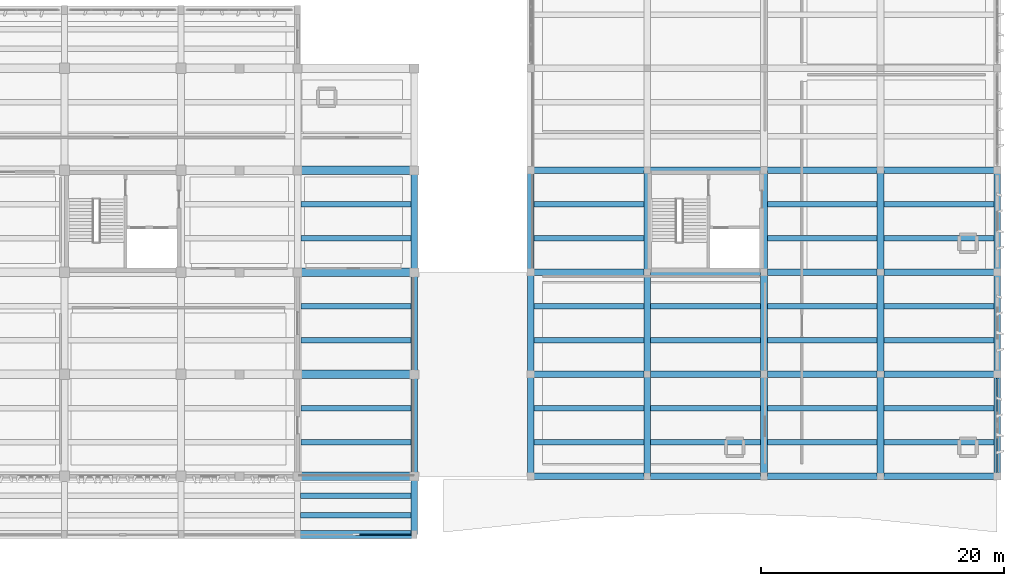
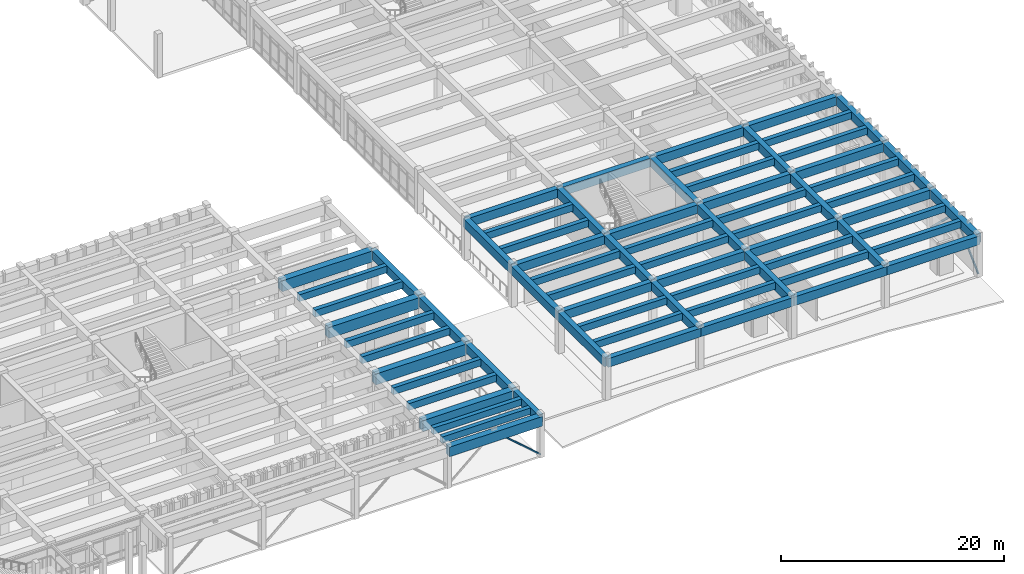
# One storey, part 33 of 86: 70 beams, 3 members.
"""IFC4 building model written with IfcOpenShell, lengths in metres."""

from ifc_helpers import new_model, si_unit, direction, frame, origin, origin_2d, place, context, subcontext, project, spatial, rectangle, hollow_rectangle, extrude, material, material_profile, profile_set, type_object, element, save


model = new_model("IFC4")

# Units and contexts
model_context = context("Model", 3, precision=1e-05, world=origin(), true_north=direction((0.0, 1.0)))
body_context = subcontext(model_context, "Body", "Model", "MODEL_VIEW")
ifc_project = project(units=[si_unit("LENGTHUNIT", "METRE"), si_unit("AREAUNIT", "SQUARE_METRE"), si_unit("VOLUMEUNIT", "CUBIC_METRE"), si_unit("PLANEANGLEUNIT", "RADIAN"), si_unit("MASSUNIT", "GRAM", prefix="KILO")], contexts=[model_context])

# Site, building, storey
site_placement = place(None, origin())
site = spatial("IfcSite", under=ifc_project, at=site_placement, CompositionType="ELEMENT")
building_placement = place(site_placement, origin())
building = spatial("IfcBuilding", under=site, at=building_placement, Name="Kolvemor Railside Polytechnic", CompositionType="ELEMENT")
storey_placement = place(building_placement, frame((0.0, 0.0, 5.39990234375)))
storey = spatial("IfcBuildingStorey", under=building, at=storey_placement, Name="L01", CompositionType="ELEMENT", Elevation=5.39990234375)

# Beams
ifc_material_1 = material(Name="Concrete C40/50", Category="concrete")
ifc_material_profile_1 = material_profile(ifc_material_1, rectangle(XDim=0.550048828125, YDim=0.949951171875, at=origin_2d()), Name="RC550x950")
ifc_profile_set_1 = profile_set([ifc_material_profile_1], Name="Concrete C40/50")
beam_type_1 = type_object("IfcBeamType", Name="BM-RC-GIRD", PredefinedType="BEAM", material=ifc_profile_set_1)
beam_1_placement = place(storey_placement, frame((134.39990234375, 4.800048828125, 4.005126953125), z_axis=(0.0, 1.0, 0.0), x_axis=(-1.0, 0.0, 0.0)))
element("IfcBeam", 1, at=beam_1_placement, inside=storey, type_object=beam_type_1, Name="Primary Girder L02-GY 0825", PredefinedType="BEAM", context=body_context, shape_type="SweptSolid", body=[
    extrude(rectangle(XDim=0.550048828125, YDim=0.949951171875, at=origin_2d()), origin(), (0.0, 0.0, 1.0), 8.39990234375),
])
beam_2_placement = place(storey_placement, frame((134.39990234375, 13.199951171875, 4.005126953125), z_axis=(0.0, 1.0, 0.0), x_axis=(-1.0, 0.0, 0.0)))
element("IfcBeam", 2, at=beam_2_placement, inside=storey, type_object=beam_type_1, Name="Primary Girder L02-GY 0826", PredefinedType="BEAM", context=body_context, shape_type="SweptSolid", body=[
    extrude(rectangle(XDim=0.550048828125, YDim=0.949951171875, at=origin_2d()), origin(), (0.0, 0.0, 1.0), 8.400146484375),
])
beam_3_placement = place(storey_placement, frame((134.39990234375, 21.60009765625, 4.005126953125), z_axis=(0.0, 1.0, 0.0), x_axis=(-1.0, 0.0, 0.0)))
element("IfcBeam", 3, at=beam_3_placement, inside=storey, type_object=beam_type_1, Name="Primary Girder L02-GY 0827", PredefinedType="BEAM", context=body_context, shape_type="SweptSolid", body=[
    extrude(rectangle(XDim=0.550048828125, YDim=0.949951171875, at=origin_2d()), origin(), (0.0, 0.0, 1.0), 8.39990234375),
])
beam_4_placement = place(storey_placement, frame((144.0, 4.800048828125, 4.005126953125), z_axis=(1.0, 0.0, 0.0), x_axis=(0.0, 1.0, 0.0)))
element("IfcBeam", 4, at=beam_4_placement, inside=storey, type_object=beam_type_1, Name="Primary Girder L02-GX 0895", PredefinedType="BEAM", context=body_context, shape_type="SweptSolid", body=[
    extrude(rectangle(XDim=0.550048828125, YDim=0.949951171875, at=origin_2d()), origin(), (0.0, 0.0, 1.0), 9.60009765625),
])
beam_5_placement = place(storey_placement, frame((153.60009765625, 4.800048828125, 4.005126953125), z_axis=(1.0, 0.0, 0.0), x_axis=(0.0, 1.0, 0.0)))
element("IfcBeam", 5, at=beam_5_placement, inside=storey, type_object=beam_type_1, Name="Primary Girder L02-GX 0896", PredefinedType="BEAM", context=body_context, shape_type="SweptSolid", body=[
    extrude(rectangle(XDim=0.550048828125, YDim=0.949951171875, at=origin_2d()), origin(), (0.0, 0.0, 1.0), 9.599853515625),
])
beam_6_placement = place(storey_placement, frame((163.199951171875, 4.800048828125, 4.005126953125), z_axis=(1.0, 0.0, 0.0), x_axis=(0.0, 1.0, 0.0)))
element("IfcBeam", 6, at=beam_6_placement, inside=storey, type_object=beam_type_1, Name="Primary Girder L02-GX 0897", PredefinedType="BEAM", context=body_context, shape_type="SweptSolid", body=[
    extrude(rectangle(XDim=0.550048828125, YDim=0.949951171875, at=origin_2d()), origin(), (0.0, 0.0, 1.0), 9.60009765625),
])
beam_7_placement = place(storey_placement, frame((172.800048828125, 4.800048828125, 4.005126953125), z_axis=(1.0, 0.0, 0.0), x_axis=(0.0, 1.0, 0.0)))
element("IfcBeam", 7, at=beam_7_placement, inside=storey, type_object=beam_type_1, Name="Primary Girder L02-GX 0898", PredefinedType="BEAM", context=body_context, shape_type="SweptSolid", body=[
    extrude(rectangle(XDim=0.550048828125, YDim=0.949951171875, at=origin_2d()), origin(), (0.0, 0.0, 1.0), 9.599853515625),
])
beam_8_placement = place(storey_placement, frame((144.0, 13.199951171875, 4.005126953125), z_axis=(1.0, 0.0, 0.0), x_axis=(0.0, 1.0, 0.0)))
element("IfcBeam", 8, at=beam_8_placement, inside=storey, type_object=beam_type_1, Name="Primary Girder L02-GX 0899", PredefinedType="BEAM", context=body_context, shape_type="SweptSolid", body=[
    extrude(rectangle(XDim=0.550048828125, YDim=0.949951171875, at=origin_2d()), origin(), (0.0, 0.0, 1.0), 9.60009765625),
])
beam_9_placement = place(storey_placement, frame((153.60009765625, 13.199951171875, 4.005126953125), z_axis=(1.0, 0.0, 0.0), x_axis=(0.0, 1.0, 0.0)))
element("IfcBeam", 9, at=beam_9_placement, inside=storey, type_object=beam_type_1, Name="Primary Girder L02-GX 0900", PredefinedType="BEAM", context=body_context, shape_type="SweptSolid", body=[
    extrude(rectangle(XDim=0.550048828125, YDim=0.949951171875, at=origin_2d()), origin(), (0.0, 0.0, 1.0), 9.599853515625),
])
beam_10_placement = place(storey_placement, frame((163.199951171875, 13.199951171875, 4.005126953125), z_axis=(1.0, 0.0, 0.0), x_axis=(0.0, 1.0, 0.0)))
element("IfcBeam", 10, at=beam_10_placement, inside=storey, type_object=beam_type_1, Name="Primary Girder L02-GX 0901", PredefinedType="BEAM", context=body_context, shape_type="SweptSolid", body=[
    extrude(rectangle(XDim=0.550048828125, YDim=0.949951171875, at=origin_2d()), origin(), (0.0, 0.0, 1.0), 9.60009765625),
])
beam_11_placement = place(storey_placement, frame((172.800048828125, 13.199951171875, 4.005126953125), z_axis=(1.0, 0.0, 0.0), x_axis=(0.0, 1.0, 0.0)))
element("IfcBeam", 11, at=beam_11_placement, inside=storey, type_object=beam_type_1, Name="Primary Girder L02-GX 0902", PredefinedType="BEAM", context=body_context, shape_type="SweptSolid", body=[
    extrude(rectangle(XDim=0.550048828125, YDim=0.949951171875, at=origin_2d()), origin(), (0.0, 0.0, 1.0), 9.599853515625),
])
beam_12_placement = place(storey_placement, frame((144.0, 21.60009765625, 4.005126953125), z_axis=(1.0, 0.0, 0.0), x_axis=(0.0, 1.0, 0.0)))
element("IfcBeam", 12, at=beam_12_placement, inside=storey, type_object=beam_type_1, Name="Primary Girder L02-GX 0903", PredefinedType="BEAM", context=body_context, shape_type="SweptSolid", body=[
    extrude(rectangle(XDim=0.550048828125, YDim=0.949951171875, at=origin_2d()), origin(), (0.0, 0.0, 1.0), 9.60009765625),
])
beam_13_placement = place(storey_placement, frame((153.60009765625, 21.60009765625, 4.005126953125), z_axis=(1.0, 0.0, 0.0), x_axis=(0.0, 1.0, 0.0)))
element("IfcBeam", 13, at=beam_13_placement, inside=storey, type_object=beam_type_1, Name="Primary Girder L02-GX 0904", PredefinedType="BEAM", context=body_context, shape_type="SweptSolid", body=[
    extrude(rectangle(XDim=0.550048828125, YDim=0.949951171875, at=origin_2d()), origin(), (0.0, 0.0, 1.0), 9.599853515625),
])
beam_14_placement = place(storey_placement, frame((163.199951171875, 21.60009765625, 4.005126953125), z_axis=(1.0, 0.0, 0.0), x_axis=(0.0, 1.0, 0.0)))
element("IfcBeam", 14, at=beam_14_placement, inside=storey, type_object=beam_type_1, Name="Primary Girder L02-GX 0905", PredefinedType="BEAM", context=body_context, shape_type="SweptSolid", body=[
    extrude(rectangle(XDim=0.550048828125, YDim=0.949951171875, at=origin_2d()), origin(), (0.0, 0.0, 1.0), 9.60009765625),
])
beam_15_placement = place(storey_placement, frame((172.800048828125, 21.60009765625, 4.005126953125), z_axis=(1.0, 0.0, 0.0), x_axis=(0.0, 1.0, 0.0)))
element("IfcBeam", 15, at=beam_15_placement, inside=storey, type_object=beam_type_1, Name="Primary Girder L02-GX 0906", PredefinedType="BEAM", context=body_context, shape_type="SweptSolid", body=[
    extrude(rectangle(XDim=0.550048828125, YDim=0.949951171875, at=origin_2d()), origin(), (0.0, 0.0, 1.0), 9.599853515625),
])
beam_16_placement = place(storey_placement, frame((144.0, 30.0, 4.005126953125), z_axis=(1.0, 0.0, 0.0), x_axis=(0.0, 1.0, 0.0)))
element("IfcBeam", 16, at=beam_16_placement, inside=storey, type_object=beam_type_1, Name="Primary Girder L02-GX 0907", PredefinedType="BEAM", context=body_context, shape_type="SweptSolid", body=[
    extrude(rectangle(XDim=0.550048828125, YDim=0.949951171875, at=origin_2d()), origin(), (0.0, 0.0, 1.0), 9.60009765625),
])
beam_17_placement = place(storey_placement, frame((153.60009765625, 30.0, 4.005126953125), z_axis=(1.0, 0.0, 0.0), x_axis=(0.0, 1.0, 0.0)))
element("IfcBeam", 17, at=beam_17_placement, inside=storey, type_object=beam_type_1, Name="Primary Girder L02-GX 0908", PredefinedType="BEAM", context=body_context, shape_type="SweptSolid", body=[
    extrude(rectangle(XDim=0.550048828125, YDim=0.949951171875, at=origin_2d()), origin(), (0.0, 0.0, 1.0), 9.599853515625),
])
beam_18_placement = place(storey_placement, frame((163.199951171875, 30.0, 4.005126953125), z_axis=(1.0, 0.0, 0.0), x_axis=(0.0, 1.0, 0.0)))
element("IfcBeam", 18, at=beam_18_placement, inside=storey, type_object=beam_type_1, Name="Primary Girder L02-GX 0909", PredefinedType="BEAM", context=body_context, shape_type="SweptSolid", body=[
    extrude(rectangle(XDim=0.550048828125, YDim=0.949951171875, at=origin_2d()), origin(), (0.0, 0.0, 1.0), 9.60009765625),
])
beam_19_placement = place(storey_placement, frame((172.800048828125, 30.0, 4.005126953125), z_axis=(1.0, 0.0, 0.0), x_axis=(0.0, 1.0, 0.0)))
element("IfcBeam", 19, at=beam_19_placement, inside=storey, type_object=beam_type_1, Name="Primary Girder L02-GX 0910", PredefinedType="BEAM", context=body_context, shape_type="SweptSolid", body=[
    extrude(rectangle(XDim=0.550048828125, YDim=0.949951171875, at=origin_2d()), origin(), (0.0, 0.0, 1.0), 9.599853515625),
])
beam_20_placement = place(storey_placement, frame((144.0, 4.800048828125, 4.005126953125), z_axis=(0.0, 1.0, 0.0), x_axis=(-1.0, 0.0, 0.0)))
element("IfcBeam", 20, at=beam_20_placement, inside=storey, type_object=beam_type_1, Name="Primary Girder L02-GY 0935", PredefinedType="BEAM", context=body_context, shape_type="SweptSolid", body=[
    extrude(rectangle(XDim=0.550048828125, YDim=0.949951171875, at=origin_2d()), origin(), (0.0, 0.0, 1.0), 8.39990234375),
])
beam_21_placement = place(storey_placement, frame((144.0, 13.199951171875, 4.005126953125), z_axis=(0.0, 1.0, 0.0), x_axis=(-1.0, 0.0, 0.0)))
element("IfcBeam", 21, at=beam_21_placement, inside=storey, type_object=beam_type_1, Name="Primary Girder L02-GY 0936", PredefinedType="BEAM", context=body_context, shape_type="SweptSolid", body=[
    extrude(rectangle(XDim=0.550048828125, YDim=0.949951171875, at=origin_2d()), origin(), (0.0, 0.0, 1.0), 8.400146484375),
])
for number, where, z_axis, x_axis, name in (
    (22, (144.0, 21.60009765625, 4.005126953125), (0.0, 1.0, 0.0), (-1.0, 0.0, 0.0), "Primary Girder L02-GY 0937"),
    (23, (153.60009765625, 4.800048828125, 4.005126953125), (0.0, 1.0, 0.0), (-1.0, 0.0, 0.0), "Primary Girder L02-GY 0944"),
):
    element("IfcBeam", number, at=place(storey_placement, frame(where, z_axis=z_axis, x_axis=x_axis)), inside=storey, type_object=beam_type_1, Name=name, PredefinedType="BEAM", context=body_context, shape_type="SweptSolid", body=[
        extrude(rectangle(XDim=0.550048828125, YDim=0.949951171875, at=origin_2d()), origin(), (0.0, 0.0, 1.0), 8.39990234375),
    ])
beam_22_placement = place(storey_placement, frame((153.60009765625, 13.199951171875, 4.005126953125), z_axis=(0.0, 1.0, 0.0), x_axis=(-1.0, 0.0, 0.0)))
element("IfcBeam", 24, at=beam_22_placement, inside=storey, type_object=beam_type_1, Name="Primary Girder L02-GY 0945", PredefinedType="BEAM", context=body_context, shape_type="SweptSolid", body=[
    extrude(rectangle(XDim=0.550048828125, YDim=0.949951171875, at=origin_2d()), origin(), (0.0, 0.0, 1.0), 8.400146484375),
])
for number, where, z_axis, x_axis, name in (
    (25, (153.60009765625, 21.60009765625, 4.005126953125), (0.0, 1.0, 0.0), (-1.0, 0.0, 0.0), "Primary Girder L02-GY 0946"),
    (26, (163.199951171875, 4.800048828125, 4.005126953125), (0.0, 1.0, 0.0), (-1.0, 0.0, 0.0), "Primary Girder L02-GY 0953"),
):
    element("IfcBeam", number, at=place(storey_placement, frame(where, z_axis=z_axis, x_axis=x_axis)), inside=storey, type_object=beam_type_1, Name=name, PredefinedType="BEAM", context=body_context, shape_type="SweptSolid", body=[
        extrude(rectangle(XDim=0.550048828125, YDim=0.949951171875, at=origin_2d()), origin(), (0.0, 0.0, 1.0), 8.39990234375),
    ])
beam_23_placement = place(storey_placement, frame((163.199951171875, 13.199951171875, 4.005126953125), z_axis=(0.0, 1.0, 0.0), x_axis=(-1.0, 0.0, 0.0)))
element("IfcBeam", 27, at=beam_23_placement, inside=storey, type_object=beam_type_1, Name="Primary Girder L02-GY 0954", PredefinedType="BEAM", context=body_context, shape_type="SweptSolid", body=[
    extrude(rectangle(XDim=0.550048828125, YDim=0.949951171875, at=origin_2d()), origin(), (0.0, 0.0, 1.0), 8.400146484375),
])
for number, where, z_axis, x_axis, name in (
    (28, (163.199951171875, 21.60009765625, 4.005126953125), (0.0, 1.0, 0.0), (-1.0, 0.0, 0.0), "Primary Girder L02-GY 0955"),
    (29, (172.800048828125, 4.800048828125, 4.005126953125), (0.0, 1.0, 0.0), (-1.0, 0.0, 0.0), "Primary Girder L02-GY 0962"),
):
    element("IfcBeam", number, at=place(storey_placement, frame(where, z_axis=z_axis, x_axis=x_axis)), inside=storey, type_object=beam_type_1, Name=name, PredefinedType="BEAM", context=body_context, shape_type="SweptSolid", body=[
        extrude(rectangle(XDim=0.550048828125, YDim=0.949951171875, at=origin_2d()), origin(), (0.0, 0.0, 1.0), 8.39990234375),
    ])
beam_24_placement = place(storey_placement, frame((172.800048828125, 13.199951171875, 4.005126953125), z_axis=(0.0, 1.0, 0.0), x_axis=(-1.0, 0.0, 0.0)))
element("IfcBeam", 30, at=beam_24_placement, inside=storey, type_object=beam_type_1, Name="Primary Girder L02-GY 0963", PredefinedType="BEAM", context=body_context, shape_type="SweptSolid", body=[
    extrude(rectangle(XDim=0.550048828125, YDim=0.949951171875, at=origin_2d()), origin(), (0.0, 0.0, 1.0), 8.400146484375),
])
for number, where, z_axis, x_axis, name in (
    (31, (172.800048828125, 21.60009765625, 4.005126953125), (0.0, 1.0, 0.0), (-1.0, 0.0, 0.0), "Primary Girder L02-GY 0964"),
    (32, (182.39990234375, 4.800048828125, 4.005126953125), (0.0, 1.0, 0.0), (-1.0, 0.0, 0.0), "Primary Girder L02-GY 0971"),
):
    element("IfcBeam", number, at=place(storey_placement, frame(where, z_axis=z_axis, x_axis=x_axis)), inside=storey, type_object=beam_type_1, Name=name, PredefinedType="BEAM", context=body_context, shape_type="SweptSolid", body=[
        extrude(rectangle(XDim=0.550048828125, YDim=0.949951171875, at=origin_2d()), origin(), (0.0, 0.0, 1.0), 8.39990234375),
    ])
beam_25_placement = place(storey_placement, frame((182.39990234375, 13.199951171875, 4.005126953125), z_axis=(0.0, 1.0, 0.0), x_axis=(-1.0, 0.0, 0.0)))
element("IfcBeam", 33, at=beam_25_placement, inside=storey, type_object=beam_type_1, Name="Primary Girder L02-GY 0972", PredefinedType="BEAM", context=body_context, shape_type="SweptSolid", body=[
    extrude(rectangle(XDim=0.550048828125, YDim=0.949951171875, at=origin_2d()), origin(), (0.0, 0.0, 1.0), 8.400146484375),
])
beam_26_placement = place(storey_placement, frame((182.39990234375, 21.60009765625, 4.005126953125), z_axis=(0.0, 1.0, 0.0), x_axis=(-1.0, 0.0, 0.0)))
element("IfcBeam", 34, at=beam_26_placement, inside=storey, type_object=beam_type_1, Name="Primary Girder L02-GY 0973", PredefinedType="BEAM", context=body_context, shape_type="SweptSolid", body=[
    extrude(rectangle(XDim=0.550048828125, YDim=0.949951171875, at=origin_2d()), origin(), (0.0, 0.0, 1.0), 8.39990234375),
])
ifc_material_2 = material(Name="Concrete C40/50", Category="concrete")
ifc_material_profile_2 = material_profile(ifc_material_2, rectangle(XDim=0.64990234375, YDim=1.050048828125, at=origin_2d()), Name="RC650x1050")
ifc_profile_set_2 = profile_set([ifc_material_profile_2], Name="Concrete C40/50")
beam_type_2 = type_object("IfcBeamType", Name="BM-RC-GIRD2", PredefinedType="BEAM", material=ifc_profile_set_2)
beam_27_placement = place(storey_placement, frame((124.800048828125, 0.0, 3.955078125), z_axis=(1.0, 0.0, 0.0), x_axis=(0.0, 1.0, 0.0)))
element("IfcBeam", 35, at=beam_27_placement, inside=storey, type_object=beam_type_2, Name="Primary Girder L02-GX 1867", PredefinedType="BEAM", context=body_context, shape_type="SweptSolid", body=[
    extrude(rectangle(XDim=0.64990234375, YDim=1.050048828125, at=origin_2d()), origin(), (0.0, 0.0, 1.0), 9.599853515625),
])
ifc_material_3 = material(Name="Concrete C40/50", Category="concrete")
ifc_material_profile_3 = material_profile(ifc_material_3, rectangle(XDim=0.5, YDim=0.85009765625, at=origin_2d()), Name="RC500x850")
ifc_profile_set_3 = profile_set([ifc_material_profile_3], Name="Concrete C40/50")
beam_type_3 = type_object("IfcBeamType", Name="BM-RC-GIRD3", PredefinedType="BEAM", material=ifc_profile_set_3)
beam_28_placement = place(storey_placement, frame((134.39990234375, 0.0, 4.05517578125), z_axis=(0.0, 1.0, 0.0), x_axis=(-1.0, 0.0, 0.0)))
element("IfcBeam", 36, at=beam_28_placement, inside=storey, type_object=beam_type_3, Name="Primary Girder L02-GY 1872", PredefinedType="BEAM", context=body_context, shape_type="SweptSolid", body=[
    extrude(rectangle(XDim=0.5, YDim=0.85009765625, at=origin_2d()), origin(), (0.0, 0.0, 1.0), 4.800048828125),
])
ifc_material_4 = material(Name="Concrete C40/50", Category="concrete")
ifc_material_profile_4 = material_profile(ifc_material_4, rectangle(XDim=0.449951171875, YDim=0.75, at=origin_2d()), Name="RC450x750")
ifc_profile_set_4 = profile_set([ifc_material_profile_4], Name="Concrete C40/50")
beam_type_4 = type_object("IfcBeamType", Name="BM-RC-SEC", PredefinedType="JOIST", material=ifc_profile_set_4)
for number, where, z_axis, x_axis, name in (
    (37, (125.074951171875, 7.60009765625, 4.10498046875), (1.0, 0.0, 0.0), (0.0, 1.0, 0.0), "Floor Joist L02-J0887"),
    (38, (125.074951171875, 10.39990234375, 4.10498046875), (1.0, 0.0, 0.0), (0.0, 1.0, 0.0), "Floor Joist L02-J0888"),
    (39, (125.074951171875, 16.0, 4.10498046875), (1.0, 0.0, 0.0), (0.0, 1.0, 0.0), "Floor Joist L02-J0889"),
    (40, (125.074951171875, 18.800048828125, 4.10498046875), (1.0, 0.0, 0.0), (0.0, 1.0, 0.0), "Floor Joist L02-J0890"),
    (41, (125.074951171875, 24.39990234375, 4.10498046875), (1.0, 0.0, 0.0), (0.0, 1.0, 0.0), "Floor Joist L02-J0891"),
    (42, (125.074951171875, 27.199951171875, 4.10498046875), (1.0, 0.0, 0.0), (0.0, 1.0, 0.0), "Floor Joist L02-J0892"),
    (43, (144.27490234375, 7.60009765625, 4.10498046875), (1.0, 0.0, 0.0), (0.0, 1.0, 0.0), "Floor Joist L02-J0980"),
    (44, (144.27490234375, 10.39990234375, 4.10498046875), (1.0, 0.0, 0.0), (0.0, 1.0, 0.0), "Floor Joist L02-J0981"),
    (45, (144.27490234375, 16.0, 4.10498046875), (1.0, 0.0, 0.0), (0.0, 1.0, 0.0), "Floor Joist L02-J0982"),
    (46, (144.27490234375, 18.800048828125, 4.10498046875), (1.0, 0.0, 0.0), (0.0, 1.0, 0.0), "Floor Joist L02-J0983"),
    (47, (144.27490234375, 24.39990234375, 4.10498046875), (1.0, 0.0, 0.0), (0.0, 1.0, 0.0), "Floor Joist L02-J0984"),
    (48, (144.27490234375, 27.199951171875, 4.10498046875), (1.0, 0.0, 0.0), (0.0, 1.0, 0.0), "Floor Joist L02-J0985"),
    (49, (153.875, 7.60009765625, 4.10498046875), (1.0, 0.0, 0.0), (0.0, 1.0, 0.0), "Floor Joist L02-J0998"),
    (50, (153.875, 10.39990234375, 4.10498046875), (1.0, 0.0, 0.0), (0.0, 1.0, 0.0), "Floor Joist L02-J0999"),
    (51, (153.875, 16.0, 4.10498046875), (1.0, 0.0, 0.0), (0.0, 1.0, 0.0), "Floor Joist L02-J1000"),
    (52, (153.875, 18.800048828125, 4.10498046875), (1.0, 0.0, 0.0), (0.0, 1.0, 0.0), "Floor Joist L02-J1001"),
):
    element("IfcBeam", number, at=place(storey_placement, frame(where, z_axis=z_axis, x_axis=x_axis)), inside=storey, type_object=beam_type_4, Name=name, PredefinedType="JOIST", context=body_context, shape_type="SweptSolid", body=[
        extrude(rectangle(XDim=0.449951171875, YDim=0.75, at=origin_2d()), origin(), (0.0, 0.0, 1.0), 9.050048828125),
    ])
for number, where, z_axis, x_axis, name in (
    (53, (163.47509765625, 7.60009765625, 4.10498046875), (1.0, 0.0, 0.0), (0.0, 1.0, 0.0), "Floor Joist L02-J1012"),
    (54, (163.47509765625, 10.39990234375, 4.10498046875), (1.0, 0.0, 0.0), (0.0, 1.0, 0.0), "Floor Joist L02-J1013"),
    (55, (163.47509765625, 16.0, 4.10498046875), (1.0, 0.0, 0.0), (0.0, 1.0, 0.0), "Floor Joist L02-J1014"),
    (56, (163.47509765625, 18.800048828125, 4.10498046875), (1.0, 0.0, 0.0), (0.0, 1.0, 0.0), "Floor Joist L02-J1015"),
    (57, (163.47509765625, 24.39990234375, 4.10498046875), (1.0, 0.0, 0.0), (0.0, 1.0, 0.0), "Floor Joist L02-J1016"),
    (58, (163.47509765625, 27.199951171875, 4.10498046875), (1.0, 0.0, 0.0), (0.0, 1.0, 0.0), "Floor Joist L02-J1017"),
):
    element("IfcBeam", number, at=place(storey_placement, frame(where, z_axis=z_axis, x_axis=x_axis)), inside=storey, type_object=beam_type_4, Name=name, PredefinedType="JOIST", context=body_context, shape_type="SweptSolid", body=[
        extrude(rectangle(XDim=0.449951171875, YDim=0.75, at=origin_2d()), origin(), (0.0, 0.0, 1.0), 9.0498046875),
    ])
for number, where, z_axis, x_axis, name in (
    (59, (173.074951171875, 7.60009765625, 4.10498046875), (1.0, 0.0, 0.0), (0.0, 1.0, 0.0), "Floor Joist L02-J1030"),
    (60, (173.074951171875, 10.39990234375, 4.10498046875), (1.0, 0.0, 0.0), (0.0, 1.0, 0.0), "Floor Joist L02-J1031"),
    (61, (173.074951171875, 16.0, 4.10498046875), (1.0, 0.0, 0.0), (0.0, 1.0, 0.0), "Floor Joist L02-J1032"),
    (62, (173.074951171875, 18.800048828125, 4.10498046875), (1.0, 0.0, 0.0), (0.0, 1.0, 0.0), "Floor Joist L02-J1033"),
    (63, (173.074951171875, 24.39990234375, 4.10498046875), (1.0, 0.0, 0.0), (0.0, 1.0, 0.0), "Floor Joist L02-J1034"),
    (64, (173.074951171875, 27.199951171875, 4.10498046875), (1.0, 0.0, 0.0), (0.0, 1.0, 0.0), "Floor Joist L02-J1035"),
):
    element("IfcBeam", number, at=place(storey_placement, frame(where, z_axis=z_axis, x_axis=x_axis)), inside=storey, type_object=beam_type_4, Name=name, PredefinedType="JOIST", context=body_context, shape_type="SweptSolid", body=[
        extrude(rectangle(XDim=0.449951171875, YDim=0.75, at=origin_2d()), origin(), (0.0, 0.0, 1.0), 9.050048828125),
    ])
ifc_material_5 = material(Name="Concrete C40/50", Category="concrete")
ifc_material_profile_5 = material_profile(ifc_material_5, rectangle(XDim=0.449951171875, YDim=0.699951171875, at=origin_2d()), Name="RC450x700")
ifc_profile_set_5 = profile_set([ifc_material_profile_5], Name="Concrete C40/50")
beam_type_5 = type_object("IfcBeamType", Name="BM-RC-SEC2", PredefinedType="JOIST", material=ifc_profile_set_5)
for number, where, z_axis, x_axis, name in (
    (65, (125.050048828125, 1.60009765625, 4.130126953125), (1.0, 0.0, 0.0), (0.0, 1.0, 0.0), "Floor Joist L02-J1879"),
    (66, (125.050048828125, 3.199951171875, 4.130126953125), (1.0, 0.0, 0.0), (0.0, 1.0, 0.0), "Floor Joist L02-J1880"),
):
    element("IfcBeam", number, at=place(storey_placement, frame(where, z_axis=z_axis, x_axis=x_axis)), inside=storey, type_object=beam_type_5, Name=name, PredefinedType="JOIST", context=body_context, shape_type="SweptSolid", body=[
        extrude(rectangle(XDim=0.449951171875, YDim=0.699951171875, at=origin_2d()), origin(), (0.0, 0.0, 1.0), 9.099853515625),
    ])
ifc_material_6 = material(Name="Concrete C40/50", Category="concrete")
ifc_material_profile_6 = material_profile(ifc_material_6, rectangle(XDim=0.699951171875, YDim=1.199951171875, at=origin_2d()), Name="RC700x1200")
ifc_profile_set_6 = profile_set([ifc_material_profile_6], Name="Concrete C40/50")
beam_type_6 = type_object("IfcBeamType", Name="BM-RC-XFER", PredefinedType="BEAM", material=ifc_profile_set_6)
for number, where, z_axis, x_axis, name in (
    (67, (124.800048828125, 4.800048828125, 3.880126953125), (1.0, 0.0, 0.0), (0.0, 1.0, 0.0), "Primary Girder L02-GX 0756"),
    (68, (124.800048828125, 13.199951171875, 3.880126953125), (1.0, 0.0, 0.0), (0.0, 1.0, 0.0), "Primary Girder L02-GX 0765"),
    (69, (124.800048828125, 21.60009765625, 3.880126953125), (1.0, 0.0, 0.0), (0.0, 1.0, 0.0), "Primary Girder L02-GX 0774"),
    (70, (124.800048828125, 30.0, 3.880126953125), (1.0, 0.0, 0.0), (0.0, 1.0, 0.0), "Primary Girder L02-GX 0783"),
):
    element("IfcBeam", number, at=place(storey_placement, frame(where, z_axis=z_axis, x_axis=x_axis)), inside=storey, type_object=beam_type_6, Name=name, PredefinedType="BEAM", context=body_context, shape_type="SweptSolid", body=[
        extrude(rectangle(XDim=0.699951171875, YDim=1.199951171875, at=origin_2d()), origin(), (0.0, 0.0, 1.0), 9.599853515625),
    ])

# Members
ifc_material_7 = material(Name="Steel S355", Category="steel")
ifc_material_profile_7 = material_profile(ifc_material_7, hollow_rectangle(XDim=0.139892578125, YDim=0.219970703125, WallThickness=0.010009765625, InnerFilletRadius=0.010009765625, OuterFilletRadius=0.02001953125, at=origin_2d()), Name="HSS220x140x10")
ifc_profile_set_7 = profile_set([ifc_material_profile_7], Name="Steel S355")
member_type_1 = type_object("IfcMemberType", Name="MEM-BR-HSS3", PredefinedType="BRACE", material=ifc_profile_set_7)
for number, where, z_axis, x_axis, name in (
    (71, (182.39990234375, 4.800048828125, 0.150146484375), (0.0, 0.721552419948, 0.692359809108), (-1.0, 0.0, 0.0), "Wind Chevron Brace BR-21A"),
    (72, (182.39990234375, 13.199951171875, 0.150146484375), (0.0, -0.721552419948, 0.692359809108), (1.0, 0.0, 0.0), "Wind Chevron Brace BR-21B"),
):
    element("IfcMember", number, at=place(storey_placement, frame(where, z_axis=z_axis, x_axis=x_axis)), inside=storey, type_object=member_type_1, Name=name, PredefinedType="BRACE", context=body_context, shape_type="SweptSolid", body=[
        extrude(hollow_rectangle(XDim=0.139892578125, YDim=0.219970703125, WallThickness=0.010009765625, InnerFilletRadius=0.010009765625, OuterFilletRadius=0.02001953125, at=origin_2d()), origin(), (0.0, 0.0, 1.0), 5.82080078125),
    ])
ifc_material_8 = material(Name="Steel S355", Category="steel")
ifc_material_profile_8 = material_profile(ifc_material_8, hollow_rectangle(XDim=0.10009765625, YDim=0.14990234375, WallThickness=0.008056640625, InnerFilletRadius=0.008056640625, OuterFilletRadius=0.01611328125, at=origin_2d()), Name="HSS150x100x8")
ifc_profile_set_8 = profile_set([ifc_material_profile_8], Name="Steel S355")
member_type_2 = type_object("IfcMemberType", Name="MEM-BR-HSS5", PredefinedType="BRACE", material=ifc_profile_set_8)
member_placement = place(storey_placement, frame((134.39990234375, 0.0, 0.150146484375), z_axis=(-0.752567209541, 0.0, 0.658515447901), x_axis=(0.0, -1.0, 0.0)))
element("IfcMember", 73, at=member_placement, inside=storey, type_object=member_type_2, Name="Wind Chevron Brace BR-16B", PredefinedType="BRACE", context=body_context, shape_type="SweptSolid", body=[
    extrude(hollow_rectangle(XDim=0.10009765625, YDim=0.14990234375, WallThickness=0.008056640625, InnerFilletRadius=0.008056640625, OuterFilletRadius=0.01611328125, at=origin_2d()), origin(), (0.0, 0.0, 1.0), 6.3779296875),
])

save(model, "model.ifc")
